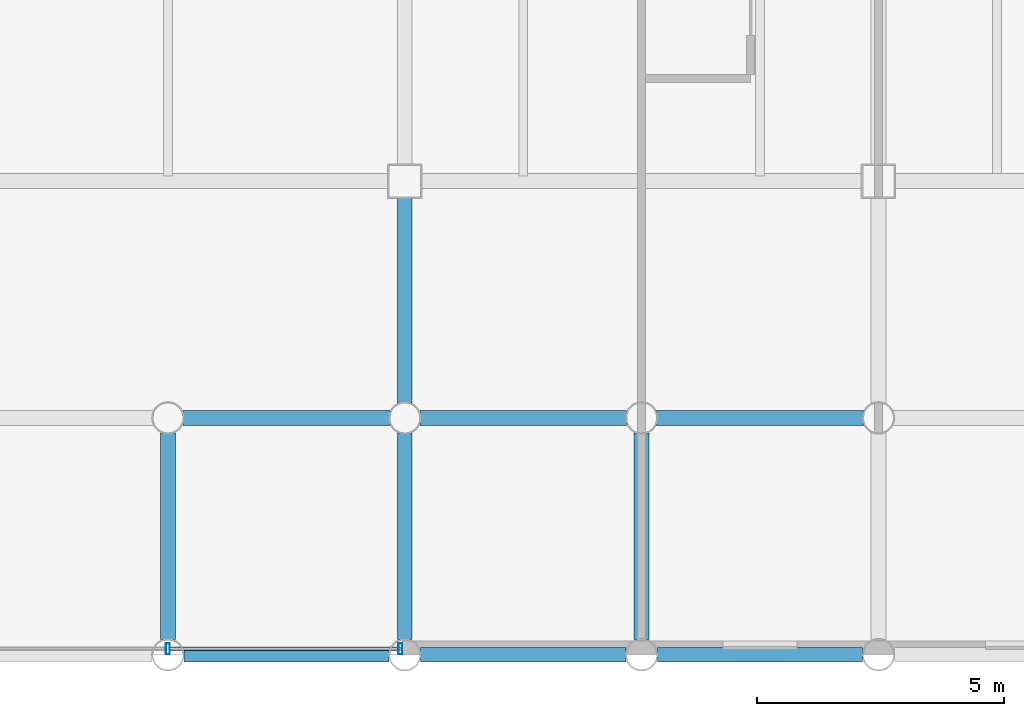
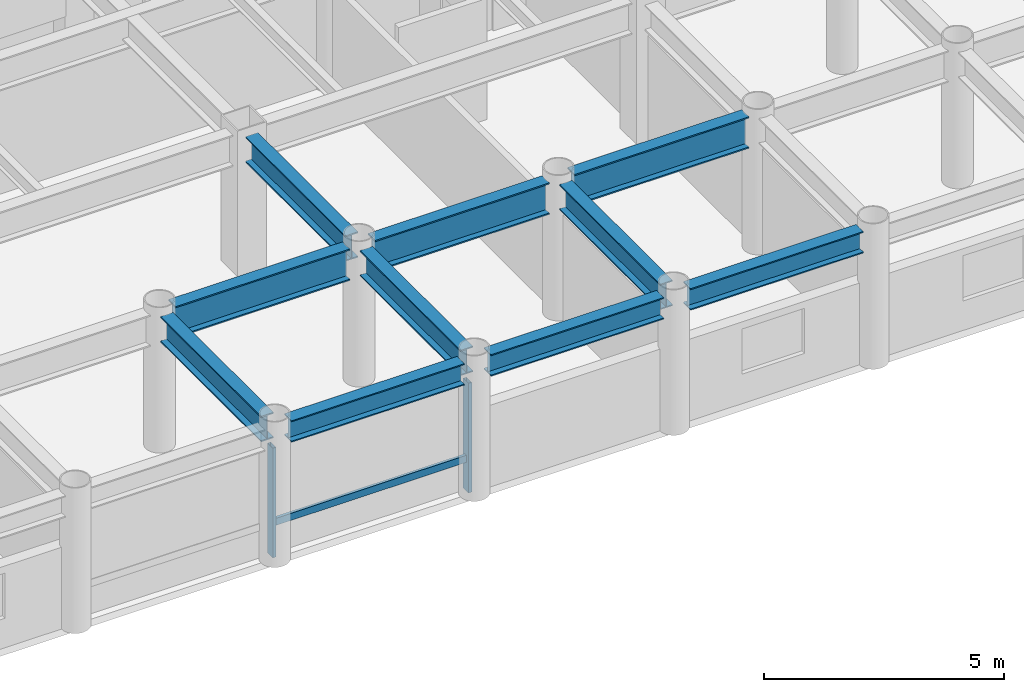
# One storey, part 6 of 20: 10 beams, 3 members, 1 element without a shape of its own.
"""IFC4 building model written with IfcOpenShell, lengths in metres."""

from ifc_helpers import new_model, si_unit, direction, frame, origin, origin_2d, place, context, subcontext, project, spatial, hollow_rectangle, i_section, extrude, material, layer, layer_set, material_profile, profile_set, type_object, element, aggregate, save


model = new_model("IFC4")

# Units and contexts
model_context = context("Model", 3, precision=1e-05, world=origin(), true_north=direction((0.0, 1.0)))
body_context = subcontext(model_context, "Body", "Model", "MODEL_VIEW")
ifc_project = project(units=[si_unit("LENGTHUNIT", "METRE"), si_unit("AREAUNIT", "SQUARE_METRE"), si_unit("VOLUMEUNIT", "CUBIC_METRE"), si_unit("PLANEANGLEUNIT", "RADIAN"), si_unit("MASSUNIT", "GRAM", prefix="KILO")], contexts=[model_context])

# Site, building, storey
site_placement = place(None, origin())
site = spatial("IfcSite", under=ifc_project, at=site_placement, CompositionType="ELEMENT")
building_placement = place(site_placement, origin())
building = spatial("IfcBuilding", under=site, at=building_placement, Name="Kallvorn Hotel Tower", CompositionType="ELEMENT")
storey_placement = place(building_placement, frame((0.0, 0.0, 176.60009765625)))
storey = spatial("IfcBuildingStorey", under=building, at=storey_placement, Name="L44", CompositionType="ELEMENT", Elevation=176.60009765625)

# Beams
ifc_material_1 = material(Name="Structural steel S355JR", Category="steel")
ifc_material_profile_1 = material_profile(ifc_material_1, i_section(OverallWidth=0.300048828125, OverallDepth=0.550048828125, WebThickness=0.014892578125, FlangeThickness=0.029052734375, at=origin_2d()), Name="HE 550 B")
ifc_profile_set_1 = profile_set([ifc_material_profile_1], Name="Structural steel S355JR")
beam_type_1 = type_object("IfcBeamType", Name="BM_HE550B", PredefinedType="SPANDREL", material=ifc_profile_set_1)
for number, where, z_axis, x_axis, name in (
    (1, (0.320068359375, -24.0, 3.204833984375), (1.0, 0.0, 0.0), (0.0, 1.0, 0.0), "L45 Perimeter Spandrel 157"),
    (2, (5.1201171875, -24.0, 3.204833984375), (1.0, 0.0, 0.0), (0.0, 1.0, 0.0), "L45 Perimeter Spandrel 158"),
):
    element("IfcBeam", number, at=place(storey_placement, frame(where, z_axis=z_axis, x_axis=x_axis)), inside=storey, type_object=beam_type_1, Name=name, PredefinedType="SPANDREL", context=body_context, shape_type="SweptSolid", body=[
        extrude(i_section(OverallWidth=0.300048828125, OverallDepth=0.550048828125, WebThickness=0.014892578125, FlangeThickness=0.029052734375, at=origin_2d()), origin(), (0.0, 0.0, 1.0), 4.159912109375),
    ])
beam_1_placement = place(storey_placement, frame((9.919921875, -24.0, 3.204833984375), z_axis=(1.0, 0.0, 0.0), x_axis=(0.0, 1.0, 0.0)))
element("IfcBeam", 3, at=beam_1_placement, inside=storey, type_object=beam_type_1, Name="L45 Perimeter Spandrel 159", PredefinedType="SPANDREL", context=body_context, shape_type="SweptSolid", body=[
    extrude(i_section(OverallWidth=0.300048828125, OverallDepth=0.550048828125, WebThickness=0.014892578125, FlangeThickness=0.029052734375, at=origin_2d()), origin(), (0.0, 0.0, 1.0), 4.16015625),
])
ifc_material_2 = material(Name="Structural steel S355JR", Category="steel")
ifc_material_profile_2 = material_profile(ifc_material_2, i_section(OverallWidth=0.300048828125, OverallDepth=0.64990234375, WebThickness=0.01611328125, FlangeThickness=0.031005859375, at=origin_2d()), Name="HE 650 B")
ifc_profile_set_2 = profile_set([ifc_material_profile_2], Name="Structural steel S355JR")
beam_type_2 = type_object("IfcBeamType", Name="BM_HE650B", PredefinedType="BEAM", material=ifc_profile_set_2)
for number, where, z_axis, x_axis, name in (
    (4, (0.0, -23.695068359375, 3.15478515625), (0.0, 1.0, 0.0), (-1.0, 0.0, 0.0), "L45 Primary Y-Girder 111"),
    (5, (4.800048828125, -23.695068359375, 3.15478515625), (0.0, 1.0, 0.0), (-1.0, 0.0, 0.0), "L45 Primary Y-Girder 114"),
):
    element("IfcBeam", number, at=place(storey_placement, frame(where, z_axis=z_axis, x_axis=x_axis)), inside=storey, type_object=beam_type_2, Name=name, PredefinedType="BEAM", context=body_context, shape_type="SweptSolid", body=[
        extrude(i_section(OverallWidth=0.300048828125, OverallDepth=0.64990234375, WebThickness=0.01611328125, FlangeThickness=0.031005859375, at=origin_2d()), origin(), (0.0, 0.0, 1.0), 4.190185546875),
    ])
beam_2_placement = place(storey_placement, frame((4.800048828125, -18.89501953125, 3.15478515625), z_axis=(0.0, 1.0, 0.0), x_axis=(-1.0, 0.0, 0.0)))
element("IfcBeam", 6, at=beam_2_placement, inside=storey, type_object=beam_type_2, Name="L45 Primary Y-Girder 115", PredefinedType="BEAM", context=body_context, shape_type="SweptSolid", body=[
    extrude(i_section(OverallWidth=0.300048828125, OverallDepth=0.64990234375, WebThickness=0.01611328125, FlangeThickness=0.031005859375, at=origin_2d()), origin(), (0.0, 0.0, 1.0), 4.169921875),
])
beam_3_placement = place(storey_placement, frame((9.60009765625, -23.695068359375, 3.15478515625), z_axis=(0.0, 1.0, 0.0), x_axis=(-1.0, 0.0, 0.0)))
element("IfcBeam", 7, at=beam_3_placement, inside=storey, type_object=beam_type_2, Name="L45 Primary Y-Girder 119", PredefinedType="BEAM", context=body_context, shape_type="SweptSolid", body=[
    extrude(i_section(OverallWidth=0.300048828125, OverallDepth=0.64990234375, WebThickness=0.01611328125, FlangeThickness=0.031005859375, at=origin_2d()), origin(), (0.0, 0.0, 1.0), 4.190185546875),
])
ifc_material_3 = material(Name="Structural steel S355JR", Category="steel")
ifc_material_profile_3 = material_profile(ifc_material_3, i_section(OverallWidth=0.300048828125, OverallDepth=0.800048828125, WebThickness=0.017578125, FlangeThickness=0.032958984375, at=origin_2d()), Name="HE 800 B")
ifc_profile_set_3 = profile_set([ifc_material_profile_3], Name="Structural steel S355JR")
beam_type_3 = type_object("IfcBeamType", Name="BM_HE800B", PredefinedType="BEAM", material=ifc_profile_set_3)
beam_4_placement = place(storey_placement, frame((0.304931640625, -19.199951171875, 3.079833984375), z_axis=(1.0, 0.0, 0.0), x_axis=(0.0, 1.0, 0.0)))
element("IfcBeam", 8, at=beam_4_placement, inside=storey, type_object=beam_type_3, Name="L45 Primary X-Girder 08", PredefinedType="BEAM", context=body_context, shape_type="SweptSolid", body=[
    extrude(i_section(OverallWidth=0.300048828125, OverallDepth=0.800048828125, WebThickness=0.017578125, FlangeThickness=0.032958984375, at=origin_2d()), origin(), (0.0, 0.0, 1.0), 4.190185546875),
])
for number, where, z_axis, x_axis, name in (
    (9, (5.10498046875, -19.199951171875, 3.079833984375), (1.0, 0.0, 0.0), (0.0, 1.0, 0.0), "L45 Primary X-Girder 09"),
    (10, (9.905029296875, -19.199951171875, 3.079833984375), (1.0, 0.0, 0.0), (0.0, 1.0, 0.0), "L45 Primary X-Girder 10"),
):
    element("IfcBeam", number, at=place(storey_placement, frame(where, z_axis=z_axis, x_axis=x_axis)), inside=storey, type_object=beam_type_3, Name=name, PredefinedType="BEAM", context=body_context, shape_type="SweptSolid", body=[
        extrude(i_section(OverallWidth=0.300048828125, OverallDepth=0.800048828125, WebThickness=0.017578125, FlangeThickness=0.032958984375, at=origin_2d()), origin(), (0.0, 0.0, 1.0), 4.18994140625),
    ])

# Curtain wall, members
ifc_material_4 = material(Name="Thermally broken black-anodised aluminium AA 6063-T6", Category="aluminium")
ifc_layer = layer(ifc_material_4, 0.2099609375)
ifc_layer_set = layer_set([ifc_layer], Name="CW_SYS_4_HOTEL_MID")
curtain_wall_type = type_object("IfcCurtainWallType", Name="CW_SYS_4_HOTEL_MID", PredefinedType="USERDEFINED", material=ifc_layer_set)
curtain_wall_placement = place(storey_placement, origin())
curtain_wall = element("IfcCurtainWall", 11, at=curtain_wall_placement, inside=storey, type_object=curtain_wall_type, Name="L44 Dark-Glass Curtain Wall CW-L44-SC", ObjectType="UNITISED CURTAIN WALL", PredefinedType="USERDEFINED")
ifc_material_5 = material(Name="Thermally broken black-anodised aluminium AA 6063-T6", Category="aluminium")
ifc_material_profile_4 = material_profile(ifc_material_5, hollow_rectangle(XDim=0.080078125, YDim=0.219970703125, WallThickness=0.0048828125, at=origin_2d()), Name="MUL 220x80")
ifc_profile_set_4 = profile_set([ifc_material_profile_4], Name="Thermally broken black-anodised aluminium AA 6063-T6")
member_type_1 = type_object("IfcMemberType", Name="CW_MULLION_220x80", PredefinedType="MULLION", material=ifc_profile_set_4)
member_1_placement = place(storey_placement, frame((0.0, -23.8798828125, 0.02001953125), z_axis=(0.0, 0.0, 1.0), x_axis=(1.0, 0.0, 0.0)))
member_1 = element("IfcMember", 12, at=member_1_placement, type_object=member_type_1, Name="CW-L44-SC Mullion 01", PredefinedType="MULLION", context=body_context, shape_type="SweptSolid", body=[
    extrude(hollow_rectangle(XDim=0.080078125, YDim=0.219970703125, WallThickness=0.0048828125, at=origin_2d()), origin(), (0.0, 0.0, 1.0), 2.789794921875),
])
member_2_placement = place(storey_placement, frame((4.7099609375, -23.8798828125, 0.02001953125), z_axis=(0.0, 0.0, 1.0), x_axis=(1.0, 0.0, 0.0)))
member_2 = element("IfcMember", 13, at=member_2_placement, type_object=member_type_1, Name="CW-L44-SC Mullion 02", PredefinedType="MULLION", context=body_context, shape_type="SweptSolid", body=[
    extrude(hollow_rectangle(XDim=0.080078125, YDim=0.219970703125, WallThickness=0.0048828125, at=origin_2d()), origin(), (0.0, 0.0, 1.0), 2.789794921875),
])
ifc_material_6 = material(Name="Thermally broken black-anodised aluminium AA 6063-T6", Category="aluminium")
ifc_material_profile_5 = material_profile(ifc_material_6, hollow_rectangle(XDim=0.070068359375, YDim=0.179931640625, WallThickness=0.00390625, at=origin_2d()), Name="TRN 180x70")
ifc_profile_set_5 = profile_set([ifc_material_profile_5], Name="Thermally broken black-anodised aluminium AA 6063-T6")
member_type_2 = type_object("IfcMemberType", Name="CW_TRANSOM_180x70", PredefinedType="USERDEFINED", material=ifc_profile_set_5)
member_3_placement = place(storey_placement, frame((0.0400390625, -23.8798828125, 0.849853515625), z_axis=(1.0, 0.0, 0.0), x_axis=(0.0, 1.0, 0.0)))
member_3 = element("IfcMember", 14, at=member_3_placement, type_object=member_type_2, Name="CW-L44-SC Transom 01M", ObjectType="TRANSOM", PredefinedType="USERDEFINED", context=body_context, shape_type="SweptSolid", body=[
    extrude(hollow_rectangle(XDim=0.070068359375, YDim=0.179931640625, WallThickness=0.00390625, at=origin_2d()), origin(), (0.0, 0.0, 1.0), 4.669921875),
])
aggregate(curtain_wall, [member_1, member_2, member_3])

save(model, "model.ifc")
